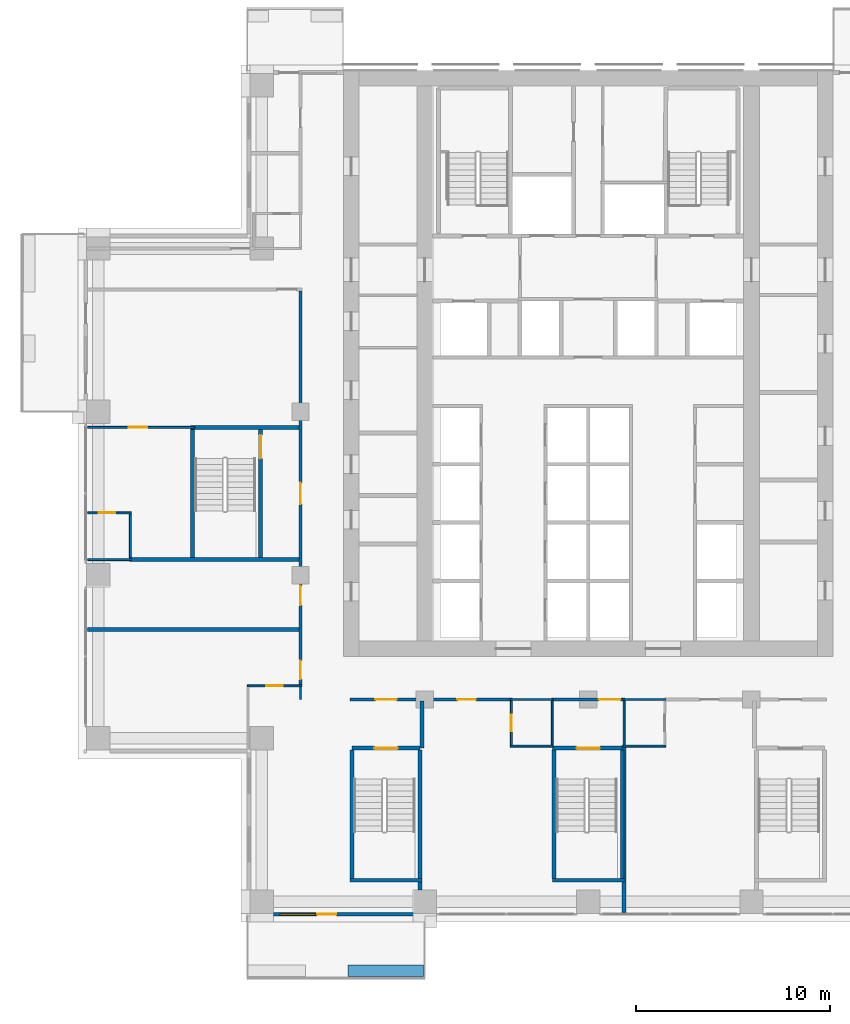
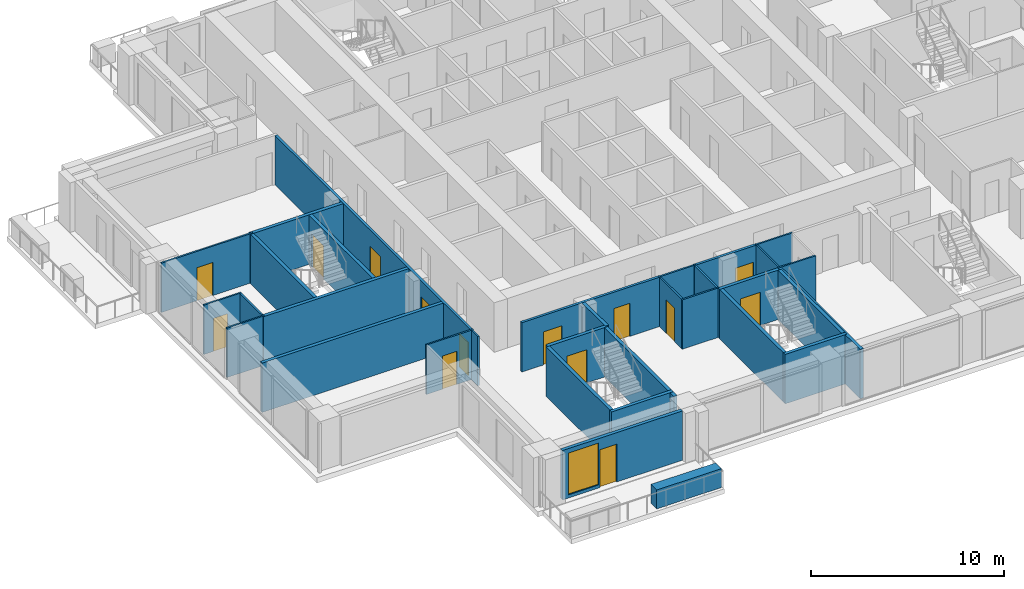
# One storey, part 7 of 17: 33 walls, 14 doors, 1 window, 15 openings.
"""IFC4 building model written with IfcOpenShell, lengths in metres."""

from ifc_helpers import new_model, si_unit, direction, frame, frame_2d, origin, place, context, subcontext, project, spatial, rectangle, extrude, material, layer, layer_set, type_object, element, fill, save


model = new_model("IFC4")

# Units and contexts
model_context = context("Model", 3, precision=1e-05, world=origin(), true_north=direction((0.0, 1.0)))
body_context = subcontext(model_context, "Body", "Model", "MODEL_VIEW")
ifc_project = project(units=[si_unit("LENGTHUNIT", "METRE"), si_unit("AREAUNIT", "SQUARE_METRE"), si_unit("VOLUMEUNIT", "CUBIC_METRE"), si_unit("PLANEANGLEUNIT", "RADIAN"), si_unit("MASSUNIT", "GRAM", prefix="KILO")], contexts=[model_context])

# Site, building, storey
site_placement = place(None, origin())
site = spatial("IfcSite", under=ifc_project, at=site_placement, CompositionType="ELEMENT")
building_placement = place(site_placement, origin())
building = spatial("IfcBuilding", under=site, at=building_placement, Name="Vermilion Ogive Tower", CompositionType="ELEMENT")
storey_placement = place(building_placement, frame((0.0, 0.0, 83.85009765625)))
storey = spatial("IfcBuildingStorey", under=building, at=storey_placement, Name="L20", CompositionType="ELEMENT", Elevation=83.85009765625)

# Walls
ifc_material_1 = material(Name="Gypsum board partition on steel studs", Category="steel")
ifc_layer_1 = layer(ifc_material_1, 0.10009765625)
ifc_layer_set_1 = layer_set([ifc_layer_1], Name="Partition 100 bath")
wall_type_1 = type_object("IfcWallType", Name="Partition 100 bath", PredefinedType="PARTITIONING", material=ifc_layer_set_1)
wall_1_placement = place(storey_placement, frame((-4.0, -13.0, 0.0), z_axis=(0.0, 0.0, 1.0), x_axis=(1.0, 0.0, 0.0)))
element("IfcWall", 1, at=wall_1_placement, inside=storey, type_object=wall_type_1, Name="L20-W-W005", PredefinedType="PARTITIONING", context=body_context, shape_type="SweptSolid", body=[
    extrude(rectangle(XDim=2.199951171875, YDim=0.10009765625, at=frame_2d((1.10009765625, 0.0))), origin(), (0.0, 0.0, 1.0), 3.1298828125),
])
wall_2_placement = place(storey_placement, frame((1.75, -13.0, 0.0), z_axis=(0.0, 0.0, 1.0), x_axis=(1.0, 0.0, 0.0)))
element("IfcWall", 2, at=wall_2_placement, inside=storey, type_object=wall_type_1, Name="L20-W-W006", PredefinedType="PARTITIONING", context=body_context, shape_type="SweptSolid", body=[
    extrude(rectangle(XDim=2.25, YDim=0.10009765625, at=frame_2d((1.125, 0.0))), origin(), (0.0, 0.0, 1.0), 3.1298828125),
])
for number, where, z_axis, x_axis, name in (
    (3, (-4.0, -10.60009765625, 0.0), (0.0, 0.0, 1.0), (1.0, 0.0, 0.0), "L20-W-W008"),
    (4, (1.800048828125, -10.60009765625, 0.0), (0.0, 0.0, 1.0), (1.0, 0.0, 0.0), "L20-W-W010"),
):
    element("IfcWall", number, at=place(storey_placement, frame(where, z_axis=z_axis, x_axis=x_axis)), inside=storey, type_object=wall_type_1, Name=name, PredefinedType="PARTITIONING", context=body_context, shape_type="SweptSolid", body=[
        extrude(rectangle(XDim=2.199951171875, YDim=0.10009765625, at=frame_2d((1.10009765625, 0.0))), origin(), (0.0, 0.0, 1.0), 3.1298828125),
    ])

# Wall, opening, door
wall_3_placement = place(storey_placement, frame((-17.550048828125, -9.89990234375, 0.0), z_axis=(0.0, 0.0, 1.0), x_axis=(1.0, 0.0, 0.0)))
wall_3 = element("IfcWall", 5, at=wall_3_placement, inside=storey, type_object=wall_type_1, Name="L20-W-W013", PredefinedType="PARTITIONING", context=body_context, shape_type="SweptSolid", body=[
    extrude(rectangle(XDim=2.824951171875, YDim=0.10009765625, at=frame_2d((1.41259765625, 0.0))), origin(), (0.0, 0.0, 1.0), 3.1298828125),
])
opening_1_placement = place(wall_3_placement, frame((0.97509765625, 0.0, 0.0)))
opening_1 = element("IfcOpeningElement", 6, at=opening_1_placement, cuts=wall_3, Name="Opening D2G1002", PredefinedType="OPENING", context=body_context, shape_type="SweptSolid", body=[
    extrude(rectangle(XDim=0.85009765625, YDim=2.10009765625, at=frame_2d((0.425048828125, 1.050048828125))), frame((0.0, 0.06005859375, 0.0), z_axis=(0.0, -1.0, 0.0), x_axis=(1.0, 0.0, 0.0)), (0.0, 0.0, 1.0), 0.1201171875),
])
ifc_material_2 = material(Name="Timber door leaf", Category="wood")
door_type_1 = type_object("IfcDoorType", Name="Bath door 850 x 2100 FD30", OperationType="SINGLE_SWING_LEFT", PredefinedType="DOOR", material=ifc_material_2)
door_1_placement = place(opening_1_placement, origin())
door_1 = element("IfcDoor", 7, at=door_1_placement, inside=storey, type_object=door_type_1, Name="L20-D-D002", OperationType="SINGLE_SWING_RIGHT", OverallHeight=2.10009765625, OverallWidth=0.85009765625, PredefinedType="DOOR", context=body_context, shape_type="SweptSolid", body=[
    extrude(rectangle(XDim=0.85009765625, YDim=2.10009765625, at=frame_2d((0.425048828125, 1.050048828125))), frame((0.0, 0.02490234375, 0.0), z_axis=(0.0, -1.0, 0.0), x_axis=(1.0, 0.0, 0.0)), (0.0, 0.0, 1.0), 0.050048828125),
])
fill(opening_1, door_1)

# Wall
wall_4_placement = place(storey_placement, frame((-25.75, -3.39990234375, 0.0), z_axis=(0.0, 0.0, 1.0), x_axis=(1.0, 0.0, 0.0)))
element("IfcWall", 8, at=wall_4_placement, inside=storey, type_object=wall_type_1, Name="L20-W-W016", PredefinedType="PARTITIONING", context=body_context, shape_type="SweptSolid", body=[
    extrude(rectangle(XDim=2.25, YDim=0.10009765625, at=frame_2d((1.125, 0.0))), origin(), (0.0, 0.0, 1.0), 3.1298828125),
])

# Wall, opening, door
wall_5_placement = place(storey_placement, frame((-25.75, -1.0, 0.0), z_axis=(0.0, 0.0, 1.0), x_axis=(1.0, 0.0, 0.0)))
wall_5 = element("IfcWall", 9, at=wall_5_placement, inside=storey, type_object=wall_type_1, Name="L20-W-W021", PredefinedType="PARTITIONING", context=body_context, shape_type="SweptSolid", body=[
    extrude(rectangle(XDim=2.25, YDim=0.10009765625, at=frame_2d((1.125, 0.0))), origin(), (0.0, 0.0, 1.0), 3.1298828125),
])
opening_2_placement = place(wall_5_placement, frame((0.574951171875, 0.0, 0.0)))
opening_2 = element("IfcOpeningElement", 10, at=opening_2_placement, cuts=wall_5, Name="Opening D2G1005", PredefinedType="OPENING", context=body_context, shape_type="SweptSolid", body=[
    extrude(rectangle(XDim=0.85009765625, YDim=2.10009765625, at=frame_2d((0.425048828125, 1.050048828125))), frame((0.0, 0.06005859375, 0.0), z_axis=(0.0, -1.0, 0.0), x_axis=(1.0, 0.0, 0.0)), (0.0, 0.0, 1.0), 0.1201171875),
])
door_2_placement = place(opening_2_placement, origin())
door_2 = element("IfcDoor", 11, at=door_2_placement, inside=storey, type_object=door_type_1, Name="L20-D-D005", OperationType="SINGLE_SWING_RIGHT", OverallHeight=2.10009765625, OverallWidth=0.85009765625, PredefinedType="DOOR", context=body_context, shape_type="SweptSolid", body=[
    extrude(rectangle(XDim=0.85009765625, YDim=2.10009765625, at=frame_2d((0.425048828125, 1.050048828125))), frame((0.0, 0.02490234375, 0.0), z_axis=(0.0, -1.0, 0.0), x_axis=(1.0, 0.0, 0.0)), (0.0, 0.0, 1.0), 0.050048828125),
])
fill(opening_2, door_2)

# Walls
wall_6_placement = place(storey_placement, frame((-23.550048828125, -3.300048828125, 0.0), z_axis=(0.0, 0.0, 1.0), x_axis=(0.0, 1.0, 0.0)))
element("IfcWall", 12, at=wall_6_placement, inside=storey, type_object=wall_type_1, Name="L20-W-W039", PredefinedType="PARTITIONING", context=body_context, shape_type="SweptSolid", body=[
    extrude(rectangle(XDim=2.25, YDim=0.10009765625, at=frame_2d((1.125, 0.0))), origin(), (0.0, 0.0, 1.0), 3.1298828125),
])
wall_7_placement = place(storey_placement, frame((-14.800048828125, -10.60009765625, 0.0), z_axis=(0.0, 0.0, 1.0), x_axis=(0.0, 1.0, 0.0)))
element("IfcWall", 13, at=wall_7_placement, inside=storey, type_object=wall_type_1, Name="L20-W-W044", PredefinedType="PARTITIONING", context=body_context, shape_type="SweptSolid", body=[
    extrude(rectangle(XDim=0.650146484375, YDim=0.10009765625, at=frame_2d((0.3251953125, 0.0))), origin(), (0.0, 0.0, 1.0), 3.1298828125),
])

# Wall, opening, door
wall_8_placement = place(storey_placement, frame((-3.949951171875, -12.949951171875, 0.0), z_axis=(0.0, 0.0, 1.0), x_axis=(0.0, 1.0, 0.0)))
wall_8 = element("IfcWall", 14, at=wall_8_placement, inside=storey, type_object=wall_type_1, Name="L20-W-W049", PredefinedType="PARTITIONING", context=body_context, shape_type="SweptSolid", body=[
    extrude(rectangle(XDim=2.27490234375, YDim=0.10009765625, at=frame_2d((1.137451171875, 0.0))), origin(), (0.0, 0.0, 1.0), 3.1298828125),
])
opening_3_placement = place(wall_8_placement, frame((0.724853515625, 0.0, 0.0)))
opening_3 = element("IfcOpeningElement", 15, at=opening_3_placement, cuts=wall_8, Name="Opening D2G1010", PredefinedType="OPENING", context=body_context, shape_type="SweptSolid", body=[
    extrude(rectangle(XDim=0.85009765625, YDim=2.10009765625, at=frame_2d((0.425048828125, 1.050048828125))), frame((0.0, 0.06005859375, 0.0), z_axis=(0.0, -1.0, 0.0), x_axis=(1.0, 0.0, 0.0)), (0.0, 0.0, 1.0), 0.1201171875),
])
door_3_placement = place(opening_3_placement, origin())
door_3 = element("IfcDoor", 16, at=door_3_placement, inside=storey, type_object=door_type_1, Name="L20-D-D010", OperationType="SINGLE_SWING_RIGHT", OverallHeight=2.10009765625, OverallWidth=0.85009765625, PredefinedType="DOOR", context=body_context, shape_type="SweptSolid", body=[
    extrude(rectangle(XDim=0.85009765625, YDim=2.10009765625, at=frame_2d((0.425048828125, 1.050048828125))), frame((0.0, 0.02490234375, 0.0), z_axis=(0.0, -1.0, 0.0), x_axis=(1.0, 0.0, 0.0)), (0.0, 0.0, 1.0), 0.050048828125),
])
fill(opening_3, door_3)

# Walls
for number, where, z_axis, x_axis, name in (
    (17, (-1.85009765625, -12.949951171875, 0.0), (0.0, 0.0, 1.0), (0.0, 1.0, 0.0), "L20-W-W050"),
    (18, (1.85009765625, -12.949951171875, 0.0), (0.0, 0.0, 1.0), (0.0, 1.0, 0.0), "L20-W-W054"),
):
    element("IfcWall", number, at=place(storey_placement, frame(where, z_axis=z_axis, x_axis=x_axis)), inside=storey, type_object=wall_type_1, Name=name, PredefinedType="PARTITIONING", context=body_context, shape_type="SweptSolid", body=[
        extrude(rectangle(XDim=2.27490234375, YDim=0.10009765625, at=frame_2d((1.137451171875, 0.0))), origin(), (0.0, 0.0, 1.0), 3.1298828125),
    ])

# Wall, opening, door
ifc_material_3 = material(Name="Gypsum board partition on steel studs", Category="steel")
ifc_layer_2 = layer(ifc_material_3, 0.10009765625)
ifc_layer_set_2 = layer_set([ifc_layer_2], Name="Partition 100 inner")
wall_type_2 = type_object("IfcWallType", Name="Partition 100 inner", PredefinedType="PARTITIONING", material=ifc_layer_set_2)
wall_9_placement = place(storey_placement, frame((-25.75, 3.39990234375, 0.0), z_axis=(0.0, 0.0, 1.0), x_axis=(1.0, 0.0, 0.0)))
wall_9 = element("IfcWall", 19, at=wall_9_placement, inside=storey, type_object=wall_type_2, Name="L20-W-W023", PredefinedType="PARTITIONING", context=body_context, shape_type="SweptSolid", body=[
    extrude(rectangle(XDim=5.5, YDim=0.10009765625, at=frame_2d((2.75, 0.0))), origin(), (0.0, 0.0, 1.0), 3.1298828125),
])
opening_4_placement = place(wall_9_placement, frame((2.125, 0.0, 0.0)))
opening_4 = element("IfcOpeningElement", 20, at=opening_4_placement, cuts=wall_9, Name="Opening D2G1004", PredefinedType="OPENING", context=body_context, shape_type="SweptSolid", body=[
    extrude(rectangle(XDim=0.949951171875, YDim=2.10009765625, at=frame_2d((0.47509765625, 1.050048828125))), frame((0.0, 0.06005859375, 0.0), z_axis=(0.0, -1.0, 0.0), x_axis=(1.0, 0.0, 0.0)), (0.0, 0.0, 1.0), 0.1201171875),
])
ifc_material_4 = material(Name="Timber door leaf", Category="wood")
door_type_2 = type_object("IfcDoorType", Name="Inner door 950 x 2100 FD30", OperationType="SINGLE_SWING_LEFT", PredefinedType="DOOR", material=ifc_material_4)
door_4_placement = place(opening_4_placement, origin())
door_4 = element("IfcDoor", 21, at=door_4_placement, inside=storey, type_object=door_type_2, Name="L20-D-D004", OperationType="SINGLE_SWING_LEFT", OverallHeight=2.10009765625, OverallWidth=0.949951171875, PredefinedType="DOOR", context=body_context, shape_type="SweptSolid", body=[
    extrude(rectangle(XDim=0.949951171875, YDim=2.10009765625, at=frame_2d((0.47509765625, 1.050048828125))), frame((0.0, 0.02490234375, 0.0), z_axis=(0.0, -1.0, 0.0), x_axis=(1.0, 0.0, 0.0)), (0.0, 0.0, 1.0), 0.050048828125),
])
fill(opening_4, door_4)

# Wall, openings, doors
ifc_material_5 = material(Name="Gypsum board partition on steel studs", Category="steel")
ifc_layer_3 = layer(ifc_material_5, 0.14990234375)
ifc_layer_set_3 = layer_set([ifc_layer_3], Name="Partition 150 corridor")
wall_type_3 = type_object("IfcWallType", Name="Partition 150 corridor", PredefinedType="PARTITIONING", material=ifc_layer_set_3)
wall_10_placement = place(storey_placement, frame((-12.25, -10.60009765625, 0.0), z_axis=(0.0, 0.0, 1.0), x_axis=(1.0, 0.0, 0.0)))
wall_10 = element("IfcWall", 22, at=wall_10_placement, inside=storey, type_object=wall_type_3, Name="L20-W-W007", PredefinedType="PARTITIONING", context=body_context, shape_type="SweptSolid", body=[
    extrude(rectangle(XDim=8.35009765625, YDim=0.14990234375, at=frame_2d((4.175048828125, 0.0))), origin(), (0.0, 0.0, 1.0), 3.1298828125),
])
opening_5_placement = place(wall_10_placement, frame((5.52490234375, 0.0, 0.0)))
opening_5 = element("IfcOpeningElement", 23, at=opening_5_placement, cuts=wall_10, Name="Opening D2G1009", PredefinedType="OPENING", context=body_context, shape_type="SweptSolid", body=[
    extrude(rectangle(XDim=0.949951171875, YDim=2.10009765625, at=frame_2d((0.47509765625, 1.050048828125))), frame((0.0, 0.0849609375, 0.0), z_axis=(0.0, -1.0, 0.0), x_axis=(1.0, 0.0, 0.0)), (0.0, 0.0, 1.0), 0.169921875),
])
opening_6_placement = place(wall_10_placement, frame((1.300048828125, 0.0, 0.0)))
opening_6 = element("IfcOpeningElement", 24, at=opening_6_placement, cuts=wall_10, Name="Opening D2G1023", PredefinedType="OPENING", context=body_context, shape_type="SweptSolid", body=[
    extrude(rectangle(XDim=1.10009765625, YDim=2.10009765625, at=frame_2d((0.550048828125, 1.050048828125))), frame((0.0, 0.0849609375, 0.0), z_axis=(0.0, -1.0, 0.0), x_axis=(1.0, 0.0, 0.0)), (0.0, 0.0, 1.0), 0.169921875),
])
ifc_material_6 = material(Name="Timber door leaf", Category="wood")
door_type_3 = type_object("IfcDoorType", Name="Stair door 1100 x 2100 FD60S", OperationType="SINGLE_SWING_LEFT", PredefinedType="DOOR", material=ifc_material_6)
door_5_placement = place(opening_6_placement, origin())
door_5 = element("IfcDoor", 25, at=door_5_placement, inside=storey, type_object=door_type_3, Name="L20-D-D023", OperationType="SINGLE_SWING_RIGHT", OverallHeight=2.10009765625, OverallWidth=1.10009765625, PredefinedType="DOOR", context=body_context, shape_type="SweptSolid", body=[
    extrude(rectangle(XDim=1.10009765625, YDim=2.10009765625, at=frame_2d((0.550048828125, 1.050048828125))), frame((0.0, 0.02490234375, 0.0), z_axis=(0.0, -1.0, 0.0), x_axis=(1.0, 0.0, 0.0)), (0.0, 0.0, 1.0), 0.050048828125),
])
fill(opening_6, door_5)
ifc_material_7 = material(Name="Timber door leaf", Category="wood")
door_type_4 = type_object("IfcDoorType", Name="Unit door 950 x 2100 FD30S", OperationType="SINGLE_SWING_LEFT", PredefinedType="DOOR", material=ifc_material_7)
door_6_placement = place(opening_5_placement, origin())
door_6 = element("IfcDoor", 26, at=door_6_placement, inside=storey, type_object=door_type_4, Name="L20-D-D009", OperationType="SINGLE_SWING_LEFT", OverallHeight=2.10009765625, OverallWidth=0.949951171875, PredefinedType="DOOR", context=body_context, shape_type="SweptSolid", body=[
    extrude(rectangle(XDim=0.949951171875, YDim=2.10009765625, at=frame_2d((0.47509765625, 1.050048828125))), frame((0.0, 0.02490234375, 0.0), z_axis=(0.0, -1.0, 0.0), x_axis=(1.0, 0.0, 0.0)), (0.0, 0.0, 1.0), 0.050048828125),
])
fill(opening_5, door_6)

# Wall, opening, door
wall_11_placement = place(storey_placement, frame((-1.89990234375, -10.60009765625, 0.0), z_axis=(0.0, 0.0, 1.0), x_axis=(1.0, 0.0, 0.0)))
wall_11 = element("IfcWall", 27, at=wall_11_placement, inside=storey, type_object=wall_type_3, Name="L20-W-W009", PredefinedType="PARTITIONING", context=body_context, shape_type="SweptSolid", body=[
    extrude(rectangle(XDim=3.7998046875, YDim=0.14990234375, at=frame_2d((1.89990234375, 0.0))), origin(), (0.0, 0.0, 1.0), 3.1298828125),
])
opening_7_placement = place(wall_11_placement, frame((2.449951171875, 0.0, 0.0)))
opening_7 = element("IfcOpeningElement", 28, at=opening_7_placement, cuts=wall_11, Name="Opening D2G1025", PredefinedType="OPENING", context=body_context, shape_type="SweptSolid", body=[
    extrude(rectangle(XDim=1.10009765625, YDim=2.10009765625, at=frame_2d((0.550048828125, 1.050048828125))), frame((0.0, 0.0849609375, 0.0), z_axis=(0.0, -1.0, 0.0), x_axis=(1.0, 0.0, 0.0)), (0.0, 0.0, 1.0), 0.169921875),
])
door_7_placement = place(opening_7_placement, origin())
door_7 = element("IfcDoor", 29, at=door_7_placement, inside=storey, type_object=door_type_3, Name="L20-D-D025", OperationType="SINGLE_SWING_LEFT", OverallHeight=2.10009765625, OverallWidth=1.10009765625, PredefinedType="DOOR", context=body_context, shape_type="SweptSolid", body=[
    extrude(rectangle(XDim=1.10009765625, YDim=2.10009765625, at=frame_2d((0.550048828125, 1.050048828125))), frame((0.0, 0.02490234375, 0.0), z_axis=(0.0, -1.0, 0.0), x_axis=(1.0, 0.0, 0.0)), (0.0, 0.0, 1.0), 0.050048828125),
])
fill(opening_7, door_7)

# Wall, openings, doors
wall_12_placement = place(storey_placement, frame((-14.800048828125, -9.85009765625, 0.0), z_axis=(0.0, 0.0, 1.0), x_axis=(0.0, 1.0, 0.0)))
wall_12 = element("IfcWall", 30, at=wall_12_placement, inside=storey, type_object=wall_type_3, Name="L20-W-W045", PredefinedType="PARTITIONING", context=body_context, shape_type="SweptSolid", body=[
    extrude(rectangle(XDim=20.275146484375, YDim=0.14990234375, at=frame_2d((10.1376953125, 0.0))), origin(), (0.0, 0.0, 1.0), 3.1298828125),
])
opening_8_placement = place(wall_12_placement, frame((0.300048828125, 0.0, 0.0)))
opening_8 = element("IfcOpeningElement", 31, at=opening_8_placement, cuts=wall_12, Name="Opening D2G1001", PredefinedType="OPENING", context=body_context, shape_type="SweptSolid", body=[
    extrude(rectangle(XDim=0.949951171875, YDim=2.10009765625, at=frame_2d((0.47509765625, 1.050048828125))), frame((0.0, 0.0849609375, 0.0), z_axis=(0.0, -1.0, 0.0), x_axis=(1.0, 0.0, 0.0)), (0.0, 0.0, 1.0), 0.169921875),
])
opening_9_placement = place(wall_12_placement, frame((9.300048828125, 0.0, 0.0)))
opening_9 = element("IfcOpeningElement", 32, at=opening_9_placement, cuts=wall_12, Name="Opening D2G1031", PredefinedType="OPENING", context=body_context, shape_type="SweptSolid", body=[
    extrude(rectangle(XDim=1.10009765625, YDim=2.10009765625, at=frame_2d((0.550048828125, 1.050048828125))), frame((0.0, 0.0849609375, 0.0), z_axis=(0.0, -1.0, 0.0), x_axis=(1.0, 0.0, 0.0)), (0.0, 0.0, 1.0), 0.169921875),
])
opening_10_placement = place(wall_12_placement, frame((4.10009765625, 0.0, 0.0)))
opening_10 = element("IfcOpeningElement", 33, at=opening_10_placement, cuts=wall_12, Name="Opening D2G1033", PredefinedType="OPENING", context=body_context, shape_type="SweptSolid", body=[
    extrude(rectangle(XDim=1.0, YDim=2.10009765625, at=frame_2d((0.5, 1.050048828125))), frame((0.0, 0.0849609375, 0.0), z_axis=(0.0, -1.0, 0.0), x_axis=(1.0, 0.0, 0.0)), (0.0, 0.0, 1.0), 0.169921875),
])
door_8_placement = place(opening_9_placement, origin())
door_8 = element("IfcDoor", 34, at=door_8_placement, inside=storey, type_object=door_type_3, Name="L20-D-D031", OperationType="SINGLE_SWING_RIGHT", OverallHeight=2.10009765625, OverallWidth=1.10009765625, PredefinedType="DOOR", context=body_context, shape_type="SweptSolid", body=[
    extrude(rectangle(XDim=1.10009765625, YDim=2.10009765625, at=frame_2d((0.550048828125, 1.050048828125))), frame((0.0, 0.02490234375, 0.0), z_axis=(0.0, -1.0, 0.0), x_axis=(1.0, 0.0, 0.0)), (0.0, 0.0, 1.0), 0.050048828125),
])
fill(opening_9, door_8)
ifc_material_8 = material(Name="Timber door leaf", Category="wood")
door_type_5 = type_object("IfcDoorType", Name="Unit door 1000 x 2100 FD30S", OperationType="SINGLE_SWING_LEFT", PredefinedType="DOOR", material=ifc_material_8)
door_9_placement = place(opening_10_placement, origin())
door_9 = element("IfcDoor", 35, at=door_9_placement, inside=storey, type_object=door_type_5, Name="L20-D-D033", OperationType="SINGLE_SWING_LEFT", OverallHeight=2.10009765625, OverallWidth=1.0, PredefinedType="DOOR", context=body_context, shape_type="SweptSolid", body=[
    extrude(rectangle(XDim=1.0, YDim=2.10009765625, at=frame_2d((0.5, 1.050048828125))), frame((0.0, 0.02490234375, 0.0), z_axis=(0.0, -1.0, 0.0), x_axis=(1.0, 0.0, 0.0)), (0.0, 0.0, 1.0), 0.050048828125),
])
fill(opening_10, door_9)
door_10_placement = place(opening_8_placement, origin())
door_10 = element("IfcDoor", 36, at=door_10_placement, inside=storey, type_object=door_type_4, Name="L20-D-D001", OperationType="SINGLE_SWING_LEFT", OverallHeight=2.10009765625, OverallWidth=0.949951171875, PredefinedType="DOOR", context=body_context, shape_type="SweptSolid", body=[
    extrude(rectangle(XDim=0.949951171875, YDim=2.10009765625, at=frame_2d((0.47509765625, 1.050048828125))), frame((0.0, 0.02490234375, 0.0), z_axis=(0.0, -1.0, 0.0), x_axis=(1.0, 0.0, 0.0)), (0.0, 0.0, 1.0), 0.050048828125),
])
fill(opening_8, door_10)

# Walls
ifc_material_9 = material(Name="Gypsum board partition on steel studs", Category="steel")
ifc_layer_4 = layer(ifc_material_9, 0.199951171875)
ifc_layer_set_4 = layer_set([ifc_layer_4], Name="Partition 200 party")
wall_type_4 = type_object("IfcWallType", Name="Partition 200 party", PredefinedType="PARTITIONING", material=ifc_layer_set_4)
wall_13_placement = place(storey_placement, frame((-25.75, -7.0, 0.0), z_axis=(0.0, 0.0, 1.0), x_axis=(1.0, 0.0, 0.0)))
element("IfcWall", 37, at=wall_13_placement, inside=storey, type_object=wall_type_4, Name="L20-W-W014", PredefinedType="PARTITIONING", context=body_context, shape_type="SweptSolid", body=[
    extrude(rectangle(XDim=10.875, YDim=0.199951171875, at=frame_2d((5.4375, 0.0))), origin(), (0.0, 0.0, 1.0), 3.1298828125),
])
wall_14_placement = place(storey_placement, frame((-8.550048828125, -13.10009765625, 0.0), z_axis=(0.0, 0.0, 1.0), x_axis=(0.0, 1.0, 0.0)))
element("IfcWall", 38, at=wall_14_placement, inside=storey, type_object=wall_type_4, Name="L20-W-W048", PredefinedType="PARTITIONING", context=body_context, shape_type="SweptSolid", body=[
    extrude(rectangle(XDim=2.425048828125, YDim=0.199951171875, at=frame_2d((1.21240234375, 0.0))), origin(), (0.0, 0.0, 1.0), 3.1298828125),
])
ifc_material_10 = material(Name="Concrete B60", Category="concrete")
ifc_layer_5 = layer(ifc_material_10, 0.199951171875)
ifc_layer_set_5 = layer_set([ifc_layer_5], Name="Stair shaft wall 200 Concrete B60")
wall_type_5 = type_object("IfcWallType", Name="Stair shaft wall 200 Concrete B60", PredefinedType="SOLIDWALL", material=ifc_layer_set_5)
wall_15_placement = place(storey_placement, frame((-1.847900390625, -19.89990234375, 0.0), z_axis=(0.0, 0.0, 1.0), x_axis=(1.0, 0.0, 0.0)))
element("IfcWall", 39, at=wall_15_placement, inside=storey, type_object=wall_type_5, Name="L20-W-W001", PredefinedType="SOLIDWALL", context=body_context, shape_type="SweptSolid", body=[
    extrude(rectangle(XDim=3.69580078125, YDim=0.199951171875, at=frame_2d((1.847900390625, 0.0))), origin(), (0.0, 0.0, 1.0), 3.1298828125),
])

# Wall, opening, door
wall_16_placement = place(storey_placement, frame((-12.14990234375, -13.10009765625, 0.0), z_axis=(0.0, 0.0, 1.0), x_axis=(1.0, 0.0, 0.0)))
wall_16 = element("IfcWall", 40, at=wall_16_placement, inside=storey, type_object=wall_type_5, Name="L20-W-W002", PredefinedType="SOLIDWALL", context=body_context, shape_type="SweptSolid", body=[
    extrude(rectangle(XDim=3.5, YDim=0.199951171875, at=frame_2d((1.75, 0.0))), origin(), (0.0, 0.0, 1.0), 3.1298828125),
])
opening_11_placement = place(wall_16_placement, frame((1.14990234375, 0.0, 0.0)))
opening_11 = element("IfcOpeningElement", 41, at=opening_11_placement, cuts=wall_16, Name="Opening D2G1024", PredefinedType="OPENING", context=body_context, shape_type="SweptSolid", body=[
    extrude(rectangle(XDim=1.199951171875, YDim=2.10009765625, at=frame_2d((0.60009765625, 1.050048828125))), frame((0.0, 0.10986328125, 0.0), z_axis=(0.0, -1.0, 0.0), x_axis=(1.0, 0.0, 0.0)), (0.0, 0.0, 1.0), 0.219970703125),
])
ifc_material_11 = material(Name="Timber door leaf", Category="wood")
door_type_6 = type_object("IfcDoorType", Name="Stair door 1200 x 2100 FD60S", OperationType="SINGLE_SWING_LEFT", PredefinedType="DOOR", material=ifc_material_11)
door_11_placement = place(opening_11_placement, origin())
door_11 = element("IfcDoor", 42, at=door_11_placement, inside=storey, type_object=door_type_6, Name="L20-D-D024", OperationType="SINGLE_SWING_RIGHT", OverallHeight=2.10009765625, OverallWidth=1.199951171875, PredefinedType="DOOR", context=body_context, shape_type="SweptSolid", body=[
    extrude(rectangle(XDim=1.199951171875, YDim=2.10009765625, at=frame_2d((0.60009765625, 1.050048828125))), frame((0.0, 0.02490234375, 0.0), z_axis=(0.0, -1.0, 0.0), x_axis=(1.0, 0.0, 0.0)), (0.0, 0.0, 1.0), 0.050048828125),
])
fill(opening_11, door_11)

wall_17_placement = place(storey_placement, frame((-1.847900390625, -13.10009765625, 0.0), z_axis=(0.0, 0.0, 1.0), x_axis=(1.0, 0.0, 0.0)))
wall_17 = element("IfcWall", 43, at=wall_17_placement, inside=storey, type_object=wall_type_5, Name="L20-W-W003", PredefinedType="SOLIDWALL", context=body_context, shape_type="SweptSolid", body=[
    extrude(rectangle(XDim=3.595947265625, YDim=0.199951171875, at=frame_2d((1.7978515625, 0.0))), origin(), (0.0, 0.0, 1.0), 3.1298828125),
])
opening_12_placement = place(wall_17_placement, frame((1.247802734375, 0.0, 0.0)))
opening_12 = element("IfcOpeningElement", 44, at=opening_12_placement, cuts=wall_17, Name="Opening D2G1026", PredefinedType="OPENING", context=body_context, shape_type="SweptSolid", body=[
    extrude(rectangle(XDim=1.199951171875, YDim=2.10009765625, at=frame_2d((0.60009765625, 1.050048828125))), frame((0.0, 0.10986328125, 0.0), z_axis=(0.0, -1.0, 0.0), x_axis=(1.0, 0.0, 0.0)), (0.0, 0.0, 1.0), 0.219970703125),
])
door_12_placement = place(opening_12_placement, origin())
door_12 = element("IfcDoor", 45, at=door_12_placement, inside=storey, type_object=door_type_6, Name="L20-D-D026", OperationType="SINGLE_SWING_RIGHT", OverallHeight=2.10009765625, OverallWidth=1.199951171875, PredefinedType="DOOR", context=body_context, shape_type="SweptSolid", body=[
    extrude(rectangle(XDim=1.199951171875, YDim=2.10009765625, at=frame_2d((0.60009765625, 1.050048828125))), frame((0.0, 0.02490234375, 0.0), z_axis=(0.0, -1.0, 0.0), x_axis=(1.0, 0.0, 0.0)), (0.0, 0.0, 1.0), 0.050048828125),
])
fill(opening_12, door_12)

# Walls
wall_18_placement = place(storey_placement, frame((-20.449951171875, 3.39990234375, 0.0), z_axis=(0.0, 0.0, 1.0), x_axis=(1.0, 0.0, 0.0)))
element("IfcWall", 46, at=wall_18_placement, inside=storey, type_object=wall_type_5, Name="L20-W-W024", PredefinedType="SOLIDWALL", context=body_context, shape_type="SweptSolid", body=[
    extrude(rectangle(XDim=5.574951171875, YDim=0.199951171875, at=frame_2d((2.78759765625, 0.0))), origin(), (0.0, 0.0, 1.0), 3.1298828125),
])
wall_19_placement = place(storey_placement, frame((-20.35009765625, -3.300048828125, 0.0), z_axis=(0.0, 0.0, 1.0), x_axis=(0.0, 1.0, 0.0)))
element("IfcWall", 47, at=wall_19_placement, inside=storey, type_object=wall_type_5, Name="L20-W-W040", PredefinedType="SOLIDWALL", context=body_context, shape_type="SweptSolid", body=[
    extrude(rectangle(XDim=6.60009765625, YDim=0.199951171875, at=frame_2d((3.300048828125, 0.0))), origin(), (0.0, 0.0, 1.0), 3.1298828125),
])

# Wall, opening, door
wall_20_placement = place(storey_placement, frame((-16.85009765625, -3.300048828125, 0.0), z_axis=(0.0, 0.0, 1.0), x_axis=(0.0, 1.0, 0.0)))
wall_20 = element("IfcWall", 48, at=wall_20_placement, inside=storey, type_object=wall_type_5, Name="L20-W-W043", PredefinedType="SOLIDWALL", context=body_context, shape_type="SweptSolid", body=[
    extrude(rectangle(XDim=6.60009765625, YDim=0.199951171875, at=frame_2d((3.300048828125, 0.0))), origin(), (0.0, 0.0, 1.0), 3.1298828125),
])
opening_13_placement = place(wall_20_placement, frame((5.10009765625, 0.0, 0.0)))
opening_13 = element("IfcOpeningElement", 49, at=opening_13_placement, cuts=wall_20, Name="Opening D2G1032", PredefinedType="OPENING", context=body_context, shape_type="SweptSolid", body=[
    extrude(rectangle(XDim=1.199951171875, YDim=2.10009765625, at=frame_2d((0.60009765625, 1.050048828125))), frame((0.0, 0.10986328125, 0.0), z_axis=(0.0, -1.0, 0.0), x_axis=(1.0, 0.0, 0.0)), (0.0, 0.0, 1.0), 0.219970703125),
])
door_13_placement = place(opening_13_placement, origin())
door_13 = element("IfcDoor", 50, at=door_13_placement, inside=storey, type_object=door_type_6, Name="L20-D-D032", OperationType="SINGLE_SWING_RIGHT", OverallHeight=2.10009765625, OverallWidth=1.199951171875, PredefinedType="DOOR", context=body_context, shape_type="SweptSolid", body=[
    extrude(rectangle(XDim=1.199951171875, YDim=2.10009765625, at=frame_2d((0.60009765625, 1.050048828125))), frame((0.0, 0.02490234375, 0.0), z_axis=(0.0, -1.0, 0.0), x_axis=(1.0, 0.0, 0.0)), (0.0, 0.0, 1.0), 0.050048828125),
])
fill(opening_13, door_13)

# Walls
for number, where, z_axis, x_axis, name in (
    (51, (-1.75, -19.798095703125, 0.0), (0.0, 0.0, 1.0), (0.0, 1.0, 0.0), "L20-W-W051"),
    (52, (1.75, -19.798095703125, 0.0), (0.0, 0.0, 1.0), (0.0, 1.0, 0.0), "L20-W-W052"),
):
    element("IfcWall", number, at=place(storey_placement, frame(where, z_axis=z_axis, x_axis=x_axis)), inside=storey, type_object=wall_type_5, Name=name, PredefinedType="SOLIDWALL", context=body_context, shape_type="SweptSolid", body=[
        extrude(rectangle(XDim=6.59619140625, YDim=0.199951171875, at=frame_2d((3.298095703125, 0.0))), origin(), (0.0, 0.0, 1.0), 3.1298828125),
    ])
wall_21_placement = place(storey_placement, frame((-12.25, -19.89990234375, 0.0), z_axis=(0.0, 0.0, 1.0), x_axis=(1.0, 0.0, 0.0)))
element("IfcWall", 53, at=wall_21_placement, inside=storey, type_object=wall_type_5, Name="L20-SW-ST3-S1", PredefinedType="SOLIDWALL", context=body_context, shape_type="SweptSolid", body=[
    extrude(rectangle(XDim=3.699951171875, YDim=0.199951171875, at=frame_2d((1.85009765625, 0.0))), origin(), (0.0, 0.0, 1.0), 3.1298828125),
])
wall_22_placement = place(storey_placement, frame((-12.14990234375, -19.800048828125, 0.0), z_axis=(0.0, 0.0, 1.0), x_axis=(0.0, 1.0, 0.0)))
element("IfcWall", 54, at=wall_22_placement, inside=storey, type_object=wall_type_5, Name="L20-SW-ST3-W1", PredefinedType="SOLIDWALL", context=body_context, shape_type="SweptSolid", body=[
    extrude(rectangle(XDim=6.60009765625, YDim=0.199951171875, at=frame_2d((3.300048828125, 0.0))), origin(), (0.0, 0.0, 1.0), 3.1298828125),
])
wall_23_placement = place(storey_placement, frame((-8.64990234375, -20.39990234375, 0.0), z_axis=(0.0, 0.0, 1.0), x_axis=(0.0, 1.0, 0.0)))
element("IfcWall", 55, at=wall_23_placement, inside=storey, type_object=wall_type_5, Name="L20-SW-ST3-E1", PredefinedType="SOLIDWALL", context=body_context, shape_type="SweptSolid", body=[
    extrude(rectangle(XDim=7.199951171875, YDim=0.199951171875, at=frame_2d((3.60009765625, 0.0))), origin(), (0.0, 0.0, 1.0), 3.1298828125),
])
wall_24_placement = place(storey_placement, frame((1.85009765625, -21.550048828125, 0.0), z_axis=(0.0, 0.0, 1.0), x_axis=(0.0, 1.0, 0.0)))
element("IfcWall", 56, at=wall_24_placement, inside=storey, type_object=wall_type_5, Name="L20-W-W053-A", PredefinedType="SOLIDWALL", context=body_context, shape_type="SweptSolid", body=[
    extrude(rectangle(XDim=8.5, YDim=0.199951171875, at=frame_2d((4.25, 0.0))), origin(), (0.0, 0.0, 1.0), 3.1298828125),
])
wall_25_placement = place(storey_placement, frame((-23.60009765625, -3.39990234375, 0.0), z_axis=(0.0, 0.0, 1.0), x_axis=(1.0, 0.0, 0.0)))
element("IfcWall", 57, at=wall_25_placement, inside=storey, type_object=wall_type_5, Name="L20-W-W017-A", PredefinedType="SOLIDWALL", context=body_context, shape_type="SweptSolid", body=[
    extrude(rectangle(XDim=8.72509765625, YDim=0.199951171875, at=frame_2d((4.362548828125, 0.0))), origin(), (0.0, 0.0, 1.0), 3.1298828125),
])
ifc_material_12 = material(Name="Concrete B40", Category="concrete")
ifc_layer_6 = layer(ifc_material_12, 0.60009765625)
ifc_layer_set_6 = layer_set([ifc_layer_6], Name="Structural planter")
wall_type_6 = type_object("IfcWallType", Name="Structural planter", PredefinedType="USERDEFINED", material=ifc_layer_set_6)
wall_26_placement = place(storey_placement, frame((-12.35009765625, -24.550048828125, -0.0400390625), z_axis=(0.0, 0.0, 1.0), x_axis=(1.0, 0.0, 0.0)))
element("IfcWall", 58, at=wall_26_placement, inside=storey, type_object=wall_type_6, Name="Planter S01A2", ObjectType="PLANTER", PredefinedType="USERDEFINED", context=body_context, shape_type="SweptSolid", body=[
    extrude(rectangle(XDim=3.89013671875, YDim=0.60009765625, at=frame_2d((1.945068359375, 0.0))), origin(), (0.0, 0.0, 1.0), 1.199951171875),
])

# Wall, openings, door, window
ifc_material_13 = material(Name="Aluminium window wall framing", Category="aluminium")
ifc_layer_7 = layer(ifc_material_13, 0.199951171875)
ifc_layer_set_7 = layer_set([ifc_layer_7], Name="Window wall")
wall_type_7 = type_object("IfcWallType", Name="Window wall", PredefinedType="STANDARD", material=ifc_layer_set_7)
wall_27_placement = place(storey_placement, frame((-16.199951171875, -21.64990234375, 0.0), z_axis=(0.0, 0.0, 1.0), x_axis=(1.0, 0.0, 0.0)))
wall_27 = element("IfcWall", 59, at=wall_27_placement, inside=storey, type_object=wall_type_7, Name="Window wall S1", PredefinedType="STANDARD", context=body_context, shape_type="SweptSolid", body=[
    extrude(rectangle(XDim=7.199951171875, YDim=0.199951171875, at=frame_2d((3.60009765625, 0.0))), origin(), (0.0, 0.0, 1.0), 3.1298828125),
])
opening_14_placement = place(wall_27_placement, frame((0.35009765625, 0.0, 0.199951171875)))
opening_14 = element("IfcOpeningElement", 60, at=opening_14_placement, cuts=wall_27, Name="Opening W1-S96", PredefinedType="OPENING", context=body_context, shape_type="SweptSolid", body=[
    extrude(rectangle(XDim=1.800048828125, YDim=2.64990234375, at=frame_2d((0.89990234375, 1.324951171875))), frame((0.0, 0.10986328125, 0.0), z_axis=(0.0, -1.0, 0.0), x_axis=(1.0, 0.0, 0.0)), (0.0, 0.0, 1.0), 0.219970703125),
])
opening_15_placement = place(wall_27_placement, frame((2.25, 0.0, 0.0)))
opening_15 = element("IfcOpeningElement", 61, at=opening_15_placement, cuts=wall_27, Name="Opening D1-S96", PredefinedType="OPENING", context=body_context, shape_type="SweptSolid", body=[
    extrude(rectangle(XDim=1.0, YDim=2.39990234375, at=frame_2d((0.5, 1.199951171875))), frame((0.0, 0.10986328125, 0.0), z_axis=(0.0, -1.0, 0.0), x_axis=(1.0, 0.0, 0.0)), (0.0, 0.0, 1.0), 0.219970703125),
])
ifc_material_14 = material(Name="Aluminium framed glazed door", Category="aluminium")
door_type_7 = type_object("IfcDoorType", Name="Balcony door D1", OperationType="SINGLE_SWING_LEFT", PredefinedType="DOOR", material=ifc_material_14)
door_14_placement = place(opening_15_placement, origin())
door_14 = element("IfcDoor", 62, at=door_14_placement, inside=storey, type_object=door_type_7, Name="Balcony door S96", OperationType="SINGLE_SWING_LEFT", OverallHeight=2.39990234375, OverallWidth=1.0, PredefinedType="DOOR", context=body_context, shape_type="SweptSolid", body=[
    extrude(rectangle(XDim=1.0, YDim=2.39990234375, at=frame_2d((0.5, 1.199951171875))), frame((0.0, 0.02490234375, 0.0), z_axis=(0.0, -1.0, 0.0), x_axis=(1.0, 0.0, 0.0)), (0.0, 0.0, 1.0), 0.050048828125),
])
fill(opening_15, door_14)
ifc_material_15 = material(Name="Aluminium framed double glazing", Category="aluminium")
window_type = type_object("IfcWindowType", Name="Guest window W1", PartitioningType="SINGLE_PANEL", PredefinedType="WINDOW", material=ifc_material_15)
window_placement = place(opening_14_placement, origin())
window = element("IfcWindow", 63, at=window_placement, inside=storey, type_object=window_type, Name="Window S96", OverallHeight=2.64990234375, OverallWidth=1.800048828125, PartitioningType="SINGLE_PANEL", PredefinedType="WINDOW", context=body_context, shape_type="SweptSolid", body=[
    extrude(rectangle(XDim=1.800048828125, YDim=2.64990234375, at=frame_2d((0.89990234375, 1.324951171875))), frame((0.0, 0.030029296875, 0.0), z_axis=(0.0, -1.0, 0.0), x_axis=(1.0, 0.0, 0.0)), (0.0, 0.0, 1.0), 0.06005859375),
])
fill(opening_14, window)

save(model, "model.ifc")
